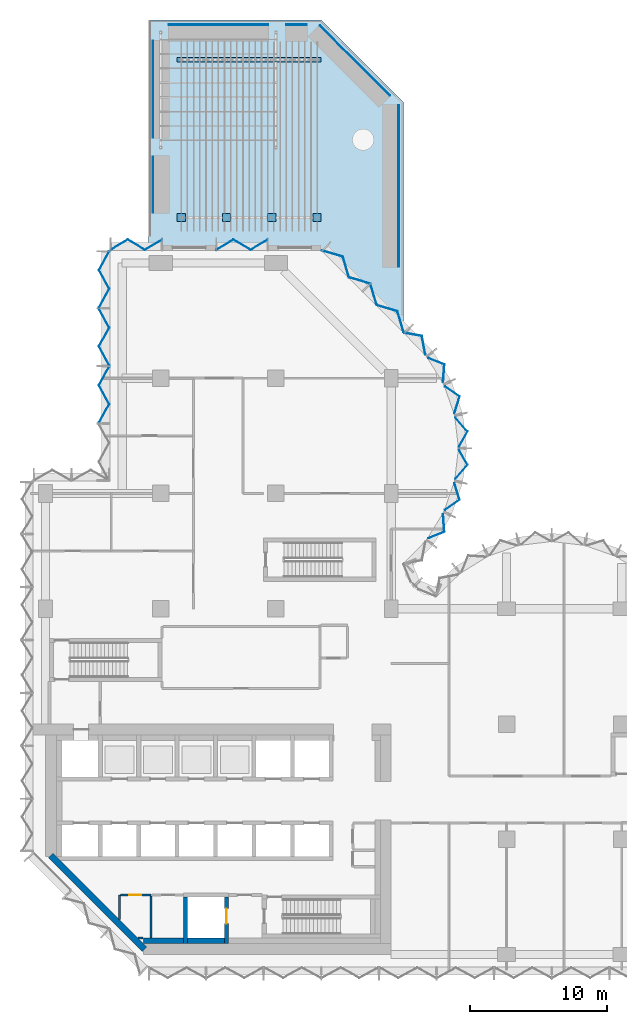
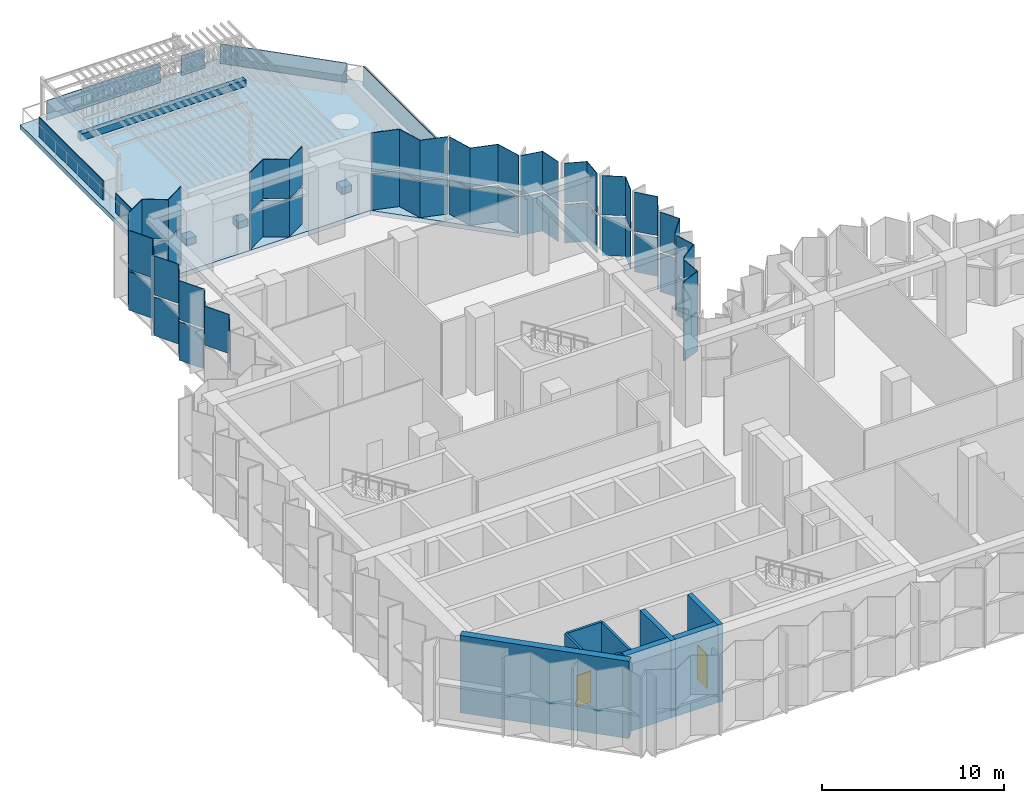
# One storey, part 7 of 15: 33 plates, 9 walls, 6 slabs, 2 doors, 2 openings, 5 elements without a shape of their own.
"""IFC4 building model written with IfcOpenShell, lengths in metres."""

from ifc_helpers import new_model, si_unit, direction, frame, frame_2d, origin, place, context, subcontext, project, spatial, polyline, rectangle, outline, extrude, material, layer, layer_set, type_object, element, fill, aggregate, save


model = new_model("IFC4")

# Units and contexts
model_context = context("Model", 3, precision=1e-05, world=origin(), true_north=direction((0.0, 1.0)))
body_context = subcontext(model_context, "Body", "Model", "MODEL_VIEW")
ifc_project = project(units=[si_unit("LENGTHUNIT", "METRE"), si_unit("AREAUNIT", "SQUARE_METRE"), si_unit("VOLUMEUNIT", "CUBIC_METRE"), si_unit("PLANEANGLEUNIT", "RADIAN"), si_unit("MASSUNIT", "GRAM", prefix="KILO")], contexts=[model_context])

# Site, building, storey
site_placement = place(None, origin())
site = spatial("IfcSite", under=ifc_project, at=site_placement, CompositionType="ELEMENT")
building_placement = place(site_placement, origin())
building = spatial("IfcBuilding", under=site, at=building_placement, Name="Brevane Broadcast Tower", CompositionType="ELEMENT")
storey_placement = place(building_placement, frame((0.0, 0.0, 156.5)))
storey = spatial("IfcBuildingStorey", under=building, at=storey_placement, Name="L39", CompositionType="ELEMENT", Elevation=156.5)

# Curtain wall, plates
ifc_material_1 = material(Name="Aluminium 6063-T6 bronze anodised", Category="aluminium")
curtain_wall_type = type_object("IfcCurtainWallType", Name="CW-4 curtain wall", PredefinedType="NOTDEFINED", material=ifc_material_1)
curtain_wall_1_placement = place(storey_placement, origin())
curtain_wall_1 = element("IfcCurtainWall", 1, at=curtain_wall_1_placement, inside=storey, type_object=curtain_wall_type, Name="CW-4 sky lobby unit L39 north bow", PredefinedType="NOTDEFINED")
ifc_material_2 = material(Name="Laminated glass bronze-tinted", Category="glass")
ifc_layer_1 = layer(ifc_material_2, 0.0400390625)
ifc_layer_set_1 = layer_set([ifc_layer_1], Name="CW glass panel 40")
plate_type_1 = type_object("IfcPlateType", Name="CW glass panel 40", PredefinedType="CURTAIN_PANEL", material=ifc_layer_set_1)
plate_1_placement = place(storey_placement, frame((0.0, 0.0, -0.159912109375)))
plate_1 = element("IfcPlate", 2, at=plate_1_placement, type_object=plate_type_1, Name="CW-4 glass panel", PredefinedType="CURTAIN_PANEL", context=body_context, shape_type="SweptSolid", body=[
    extrude(outline(polyline([(27.8837890625, 30.355712890625), (27.920166015625, 30.327392578125), (29.08935546875, 30.7958984375), (28.998779296875, 32.076416015625), (28.95751953125, 32.09619140625), (29.04736328125, 30.822265625), (27.8837890625, 30.355712890625)])), origin(), (0.0, 0.0, 1.0), 2.58984375),
])
plate_2_placement = place(storey_placement, frame((0.0, 0.0, 2.570068359375)))
plate_2 = element("IfcPlate", 3, at=plate_2_placement, type_object=plate_type_1, Name="CW-4 glass panel", PredefinedType="CURTAIN_PANEL", context=body_context, shape_type="SweptSolid", body=[
    extrude(outline(polyline([(27.8837890625, 30.355712890625), (27.920166015625, 30.327392578125), (29.08935546875, 30.7958984375), (28.998779296875, 32.076416015625), (28.95751953125, 32.09619140625), (29.04736328125, 30.822265625), (27.8837890625, 30.355712890625)])), origin(), (0.0, 0.0, 1.0), 2.6298828125),
])
plate_3_placement = place(storey_placement, frame((0.0, 0.0, -0.159912109375)))
plate_3 = element("IfcPlate", 4, at=plate_3_placement, type_object=plate_type_1, Name="CW-4 glass panel", PredefinedType="CURTAIN_PANEL", context=body_context, shape_type="SweptSolid", body=[
    extrude(outline(polyline([(29.109130859375, 32.4150390625), (29.150634765625, 32.395263671875), (30.20166015625, 33.132080078125), (29.82861328125, 34.335205078125), (29.78369140625, 34.345458984375), (30.15478515625, 33.148193359375), (29.109130859375, 32.4150390625)])), origin(), (0.0, 0.0, 1.0), 2.58984375),
])
plate_4_placement = place(storey_placement, frame((0.0, 0.0, 2.570068359375)))
plate_4 = element("IfcPlate", 5, at=plate_4_placement, type_object=plate_type_1, Name="CW-4 glass panel", PredefinedType="CURTAIN_PANEL", context=body_context, shape_type="SweptSolid", body=[
    extrude(outline(polyline([(29.109130859375, 32.4150390625), (29.150634765625, 32.395263671875), (30.20166015625, 33.132080078125), (29.82861328125, 34.335205078125), (29.78369140625, 34.345458984375), (30.15478515625, 33.148193359375), (29.109130859375, 32.4150390625)])), origin(), (0.0, 0.0, 1.0), 2.6298828125),
])
plate_5_placement = place(storey_placement, frame((0.0, 0.0, -0.159912109375)))
plate_5 = element("IfcPlate", 6, at=plate_5_placement, type_object=plate_type_1, Name="CW-4 glass panel", PredefinedType="CURTAIN_PANEL", context=body_context, shape_type="SweptSolid", body=[
    extrude(outline(polyline([(29.861328125, 34.68994140625), (29.905517578125, 34.6796875), (30.779296875, 35.68310546875), (30.156982421875, 36.777099609375), (30.111083984375, 36.777099609375), (30.73046875, 35.68798828125), (29.861328125, 34.68994140625)])), origin(), (0.0, 0.0, 1.0), 2.58984375),
])
plate_6_placement = place(storey_placement, frame((0.0, 0.0, 2.570068359375)))
plate_6 = element("IfcPlate", 7, at=plate_6_placement, type_object=plate_type_1, Name="CW-4 glass panel", PredefinedType="CURTAIN_PANEL", context=body_context, shape_type="SweptSolid", body=[
    extrude(outline(polyline([(29.861328125, 34.68994140625), (29.905517578125, 34.6796875), (30.779296875, 35.68310546875), (30.156982421875, 36.777099609375), (30.111083984375, 36.777099609375), (30.73046875, 35.68798828125), (29.861328125, 34.68994140625)])), origin(), (0.0, 0.0, 1.0), 2.6298828125),
])
plate_7_placement = place(storey_placement, frame((0.0, 0.0, -0.159912109375)))
plate_7 = element("IfcPlate", 8, at=plate_7_placement, type_object=plate_type_1, Name="CW-4 glass panel", PredefinedType="CURTAIN_PANEL", context=body_context, shape_type="SweptSolid", body=[
    extrude(outline(polyline([(30.111083984375, 37.02294921875), (30.156982421875, 37.02294921875), (30.779296875, 38.116943359375), (29.905517578125, 39.120361328125), (29.861328125, 39.110107421875), (30.73046875, 38.112060546875), (30.111083984375, 37.02294921875)])), origin(), (0.0, 0.0, 1.0), 2.58984375),
])
plate_8_placement = place(storey_placement, frame((0.0, 0.0, 2.570068359375)))
plate_8 = element("IfcPlate", 9, at=plate_8_placement, type_object=plate_type_1, Name="CW-4 glass panel", PredefinedType="CURTAIN_PANEL", context=body_context, shape_type="SweptSolid", body=[
    extrude(outline(polyline([(30.111083984375, 37.02294921875), (30.156982421875, 37.02294921875), (30.779296875, 38.116943359375), (29.905517578125, 39.120361328125), (29.861328125, 39.110107421875), (30.73046875, 38.112060546875), (30.111083984375, 37.02294921875)])), origin(), (0.0, 0.0, 1.0), 2.6298828125),
])
plate_9_placement = place(storey_placement, frame((0.0, 0.0, -0.159912109375)))
plate_9 = element("IfcPlate", 10, at=plate_9_placement, type_object=plate_type_1, Name="CW-4 glass panel", PredefinedType="CURTAIN_PANEL", context=body_context, shape_type="SweptSolid", body=[
    extrude(outline(polyline([(29.78369140625, 39.45458984375), (29.82861328125, 39.46484375), (30.20166015625, 40.66796875), (29.150634765625, 41.40478515625), (29.109130859375, 41.385009765625), (30.15478515625, 40.65185546875), (29.78369140625, 39.45458984375)])), origin(), (0.0, 0.0, 1.0), 2.58984375),
])
plate_10_placement = place(storey_placement, frame((0.0, 0.0, 2.570068359375)))
plate_10 = element("IfcPlate", 11, at=plate_10_placement, type_object=plate_type_1, Name="CW-4 glass panel", PredefinedType="CURTAIN_PANEL", context=body_context, shape_type="SweptSolid", body=[
    extrude(outline(polyline([(29.78369140625, 39.45458984375), (29.82861328125, 39.46484375), (30.20166015625, 40.66796875), (29.150634765625, 41.40478515625), (29.109130859375, 41.385009765625), (30.15478515625, 40.65185546875), (29.78369140625, 39.45458984375)])), origin(), (0.0, 0.0, 1.0), 2.6298828125),
])
plate_11_placement = place(storey_placement, frame((0.0, 0.0, -0.159912109375)))
plate_11 = element("IfcPlate", 12, at=plate_11_placement, type_object=plate_type_1, Name="CW-4 glass panel", PredefinedType="CURTAIN_PANEL", context=body_context, shape_type="SweptSolid", body=[
    extrude(outline(polyline([(28.95751953125, 41.703857421875), (28.998779296875, 41.7236328125), (29.08935546875, 43.00390625), (27.920166015625, 43.47265625), (27.8837890625, 43.444091796875), (29.04736328125, 42.977783203125), (28.95751953125, 41.703857421875)])), origin(), (0.0, 0.0, 1.0), 2.58984375),
])
plate_12_placement = place(storey_placement, frame((0.0, 0.0, 2.570068359375)))
plate_12 = element("IfcPlate", 13, at=plate_12_placement, type_object=plate_type_1, Name="CW-4 glass panel", PredefinedType="CURTAIN_PANEL", context=body_context, shape_type="SweptSolid", body=[
    extrude(outline(polyline([(28.95751953125, 41.703857421875), (28.998779296875, 41.7236328125), (29.08935546875, 43.00390625), (27.920166015625, 43.47265625), (27.8837890625, 43.444091796875), (29.04736328125, 42.977783203125), (28.95751953125, 41.703857421875)])), origin(), (0.0, 0.0, 1.0), 2.6298828125),
])
plate_13_placement = place(storey_placement, frame((0.0, 0.0, -0.159912109375)))
plate_13 = element("IfcPlate", 14, at=plate_13_placement, type_object=plate_type_1, Name="CW-4 glass panel", PredefinedType="CURTAIN_PANEL", context=body_context, shape_type="SweptSolid", body=[
    extrude(outline(polyline([(27.66552734375, 43.7216796875), (27.701171875, 43.74951171875), (27.447265625, 45.086181640625), (26.189697265625, 45.3173828125), (26.154296875, 45.283203125), (27.4130859375, 45.052001953125), (27.66552734375, 43.7216796875)])), origin(), (0.0, 0.0, 1.0), 2.58984375),
])
plate_14_placement = place(storey_placement, frame((0.0, 0.0, 2.570068359375)))
plate_14 = element("IfcPlate", 15, at=plate_14_placement, type_object=plate_type_1, Name="CW-4 glass panel", PredefinedType="CURTAIN_PANEL", context=body_context, shape_type="SweptSolid", body=[
    extrude(outline(polyline([(27.66552734375, 43.7216796875), (27.701171875, 43.74951171875), (27.447265625, 45.086181640625), (26.189697265625, 45.3173828125), (26.154296875, 45.283203125), (27.4130859375, 45.052001953125), (27.66552734375, 43.7216796875)])), origin(), (0.0, 0.0, 1.0), 2.6298828125),
])
aggregate(curtain_wall_1, [plate_1, plate_2, plate_3, plate_4, plate_5, plate_6, plate_7, plate_8, plate_9, plate_10, plate_11, plate_12, plate_13, plate_14])

curtain_wall_2_placement = place(storey_placement, origin())
curtain_wall_2 = element("IfcCurtainWall", 16, at=curtain_wall_2_placement, inside=storey, type_object=curtain_wall_type, Name="CW-4 sky lobby unit L39 north arm north-east chamfer", PredefinedType="NOTDEFINED")
plate_15_placement = place(storey_placement, frame((0.0, 0.0, -0.159912109375)))
plate_15 = element("IfcPlate", 17, at=plate_15_placement, type_object=plate_type_1, Name="CW-4 glass panel", PredefinedType="CURTAIN_PANEL", context=body_context, shape_type="SweptSolid", body=[
    extrude(outline(polyline([(26.083984375, 45.3544921875), (26.1162109375, 45.38671875), (25.666015625, 46.8896484375), (24.1630859375, 47.339599609375), (23.713134765625, 48.84228515625), (23.680908203125, 48.810302734375), (24.131103515625, 47.3076171875), (25.6337890625, 46.857421875), (26.083984375, 45.3544921875)])), origin(), (0.0, 0.0, 1.0), 2.58984375),
])
plate_16_placement = place(storey_placement, frame((0.0, 0.0, 2.570068359375)))
plate_16 = element("IfcPlate", 18, at=plate_16_placement, type_object=plate_type_1, Name="CW-4 glass panel", PredefinedType="CURTAIN_PANEL", context=body_context, shape_type="SweptSolid", body=[
    extrude(outline(polyline([(26.083984375, 45.3544921875), (26.1162109375, 45.38671875), (25.666015625, 46.8896484375), (24.1630859375, 47.339599609375), (23.713134765625, 48.84228515625), (23.680908203125, 48.810302734375), (24.131103515625, 47.3076171875), (25.6337890625, 46.857421875), (26.083984375, 45.3544921875)])), origin(), (0.0, 0.0, 1.0), 2.6298828125),
])
plate_17_placement = place(storey_placement, frame((0.0, 0.0, -0.159912109375)))
plate_17 = element("IfcPlate", 19, at=plate_17_placement, type_object=plate_type_1, Name="CW-4 glass panel", PredefinedType="CURTAIN_PANEL", context=body_context, shape_type="SweptSolid", body=[
    extrude(outline(polyline([(23.6103515625, 48.881103515625), (23.642333984375, 48.9130859375), (22.1396484375, 49.36328125), (21.689697265625, 50.865966796875), (20.186767578125, 51.316162109375), (20.154541015625, 51.283935546875), (21.657470703125, 50.833984375), (22.107421875, 49.3310546875), (23.6103515625, 48.881103515625)])), origin(), (0.0, 0.0, 1.0), 2.58984375),
])
plate_18_placement = place(storey_placement, frame((0.0, 0.0, 2.570068359375)))
plate_18 = element("IfcPlate", 20, at=plate_18_placement, type_object=plate_type_1, Name="CW-4 glass panel", PredefinedType="CURTAIN_PANEL", context=body_context, shape_type="SweptSolid", body=[
    extrude(outline(polyline([(23.6103515625, 48.881103515625), (23.642333984375, 48.9130859375), (22.1396484375, 49.36328125), (21.689697265625, 50.865966796875), (20.186767578125, 51.316162109375), (20.154541015625, 51.283935546875), (21.657470703125, 50.833984375), (22.107421875, 49.3310546875), (23.6103515625, 48.881103515625)])), origin(), (0.0, 0.0, 1.0), 2.6298828125),
])
aggregate(curtain_wall_2, [plate_15, plate_16, plate_17, plate_18])

curtain_wall_3_placement = place(storey_placement, origin())
curtain_wall_3 = element("IfcCurtainWall", 21, at=curtain_wall_3_placement, inside=storey, type_object=curtain_wall_type, Name="CW-4 sky lobby unit L39 north end", PredefinedType="NOTDEFINED")
plate_19_placement = place(storey_placement, frame((0.0, 0.0, -0.159912109375)))
plate_19 = element("IfcPlate", 22, at=plate_19_placement, type_object=plate_type_1, Name="CW-4 glass panel", PredefinedType="CURTAIN_PANEL", context=body_context, shape_type="SweptSolid", body=[
    extrude(outline(polyline([(16.199951171875, 52.071044921875), (16.199951171875, 52.11767578125), (14.949951171875, 51.373291015625), (13.699951171875, 52.11767578125), (12.449951171875, 51.373291015625), (12.449951171875, 51.32666015625), (13.699951171875, 52.071044921875), (14.949951171875, 51.32666015625), (16.199951171875, 52.071044921875)])), origin(), (0.0, 0.0, 1.0), 2.58984375),
])
plate_20_placement = place(storey_placement, frame((0.0, 0.0, 2.570068359375)))
plate_20 = element("IfcPlate", 23, at=plate_20_placement, type_object=plate_type_1, Name="CW-4 glass panel", PredefinedType="CURTAIN_PANEL", context=body_context, shape_type="SweptSolid", body=[
    extrude(outline(polyline([(16.199951171875, 52.071044921875), (16.199951171875, 52.11767578125), (14.949951171875, 51.373291015625), (13.699951171875, 52.11767578125), (12.449951171875, 51.373291015625), (12.449951171875, 51.32666015625), (13.699951171875, 52.071044921875), (14.949951171875, 51.32666015625), (16.199951171875, 52.071044921875)])), origin(), (0.0, 0.0, 1.0), 2.6298828125),
])
aggregate(curtain_wall_3, [plate_19, plate_20])

curtain_wall_4_placement = place(storey_placement, origin())
curtain_wall_4 = element("IfcCurtainWall", 24, at=curtain_wall_4_placement, inside=storey, type_object=curtain_wall_type, Name="CW-4 sky lobby unit L39 north end", PredefinedType="NOTDEFINED")
plate_21_placement = place(storey_placement, frame((0.0, 0.0, -0.159912109375)))
plate_21 = element("IfcPlate", 25, at=plate_21_placement, type_object=plate_type_1, Name="CW-4 glass panel", PredefinedType="CURTAIN_PANEL", context=body_context, shape_type="SweptSolid", body=[
    extrude(outline(polyline([(8.5, 52.071044921875), (8.5, 52.11767578125), (7.25, 51.373291015625), (6.0, 52.11767578125), (4.75, 51.373291015625), (4.75, 51.32666015625), (6.0, 52.071044921875), (7.25, 51.32666015625), (8.5, 52.071044921875)])), origin(), (0.0, 0.0, 1.0), 2.58984375),
])
plate_22_placement = place(storey_placement, frame((0.0, 0.0, 2.570068359375)))
plate_22 = element("IfcPlate", 26, at=plate_22_placement, type_object=plate_type_1, Name="CW-4 glass panel", PredefinedType="CURTAIN_PANEL", context=body_context, shape_type="SweptSolid", body=[
    extrude(outline(polyline([(8.5, 52.071044921875), (8.5, 52.11767578125), (7.25, 51.373291015625), (6.0, 52.11767578125), (4.75, 51.373291015625), (4.75, 51.32666015625), (6.0, 52.071044921875), (7.25, 51.32666015625), (8.5, 52.071044921875)])), origin(), (0.0, 0.0, 1.0), 2.6298828125),
])
aggregate(curtain_wall_4, [plate_21, plate_22])

curtain_wall_5_placement = place(storey_placement, origin())
curtain_wall_5 = element("IfcCurtainWall", 27, at=curtain_wall_5_placement, inside=storey, type_object=curtain_wall_type, Name="CW-4 sky lobby unit L39 north wing west face, lower block", PredefinedType="NOTDEFINED")
plate_23_placement = place(storey_placement, frame((0.0, 0.0, -0.159912109375)))
plate_23 = element("IfcPlate", 28, at=plate_23_placement, type_object=plate_type_1, Name="CW-4 glass panel", PredefinedType="CURTAIN_PANEL", context=body_context, shape_type="SweptSolid", body=[
    extrude(outline(polyline([(4.6728515625, 51.25), (4.627197265625, 51.25), (3.8828125, 49.88330078125), (4.627197265625, 48.5166015625), (3.8828125, 47.14990234375), (3.928466796875, 47.14990234375), (4.6728515625, 48.5166015625), (3.928466796875, 49.88330078125), (4.6728515625, 51.25)])), origin(), (0.0, 0.0, 1.0), 2.58984375),
])
plate_24_placement = place(storey_placement, frame((0.0, 0.0, 2.570068359375)))
plate_24 = element("IfcPlate", 29, at=plate_24_placement, type_object=plate_type_1, Name="CW-4 glass panel", PredefinedType="CURTAIN_PANEL", context=body_context, shape_type="SweptSolid", body=[
    extrude(outline(polyline([(4.6728515625, 51.25), (4.627197265625, 51.25), (3.8828125, 49.88330078125), (4.627197265625, 48.5166015625), (3.8828125, 47.14990234375), (3.928466796875, 47.14990234375), (4.6728515625, 48.5166015625), (3.928466796875, 49.88330078125), (4.6728515625, 51.25)])), origin(), (0.0, 0.0, 1.0), 2.6298828125),
])
plate_25_placement = place(storey_placement, frame((0.0, 0.0, -0.159912109375)))
plate_25 = element("IfcPlate", 30, at=plate_25_placement, type_object=plate_type_1, Name="CW-4 glass panel", PredefinedType="CURTAIN_PANEL", context=body_context, shape_type="SweptSolid", body=[
    extrude(outline(polyline([(3.928466796875, 47.050048828125), (3.8828125, 47.050048828125), (4.627197265625, 45.683349609375), (3.8828125, 44.316650390625), (4.627197265625, 42.949951171875), (4.6728515625, 42.949951171875), (3.928466796875, 44.316650390625), (4.6728515625, 45.683349609375), (3.928466796875, 47.050048828125)])), origin(), (0.0, 0.0, 1.0), 2.58984375),
])
plate_26_placement = place(storey_placement, frame((0.0, 0.0, 2.570068359375)))
plate_26 = element("IfcPlate", 31, at=plate_26_placement, type_object=plate_type_1, Name="CW-4 glass panel", PredefinedType="CURTAIN_PANEL", context=body_context, shape_type="SweptSolid", body=[
    extrude(outline(polyline([(3.928466796875, 47.050048828125), (3.8828125, 47.050048828125), (4.627197265625, 45.683349609375), (3.8828125, 44.316650390625), (4.627197265625, 42.949951171875), (4.6728515625, 42.949951171875), (3.928466796875, 44.316650390625), (4.6728515625, 45.683349609375), (3.928466796875, 47.050048828125)])), origin(), (0.0, 0.0, 1.0), 2.6298828125),
])
plate_27_placement = place(storey_placement, frame((0.0, 0.0, 2.570068359375)))
plate_27 = element("IfcPlate", 32, at=plate_27_placement, type_object=plate_type_1, Name="CW-4 glass panel", PredefinedType="CURTAIN_PANEL", context=body_context, shape_type="SweptSolid", body=[
    extrude(outline(polyline([(4.6728515625, 42.85009765625), (4.627197265625, 42.85009765625), (3.8828125, 41.4833984375), (4.627197265625, 40.11669921875), (3.8828125, 38.75), (3.928466796875, 38.75), (4.6728515625, 40.11669921875), (3.928466796875, 41.4833984375), (4.6728515625, 42.85009765625)])), origin(), (0.0, 0.0, 1.0), 2.6298828125),
])
aggregate(curtain_wall_5, [plate_23, plate_24, plate_25, plate_26, plate_27])

# Plates
ifc_material_3 = material(Name="Aluminium bronze anodised", Category="aluminium")
ifc_layer_2 = layer(ifc_material_3, 0.050048828125)
ifc_layer_set_2 = layer_set([ifc_layer_2], Name="Planter fascia plate 1300")
plate_type_2 = type_object("IfcPlateType", Name="Planter fascia plate 1300", PredefinedType="SHEET", material=ifc_layer_set_2)
plate_28_placement = place(storey_placement, frame((25.77490234375, 50.12939453125, 0.0), z_axis=(1.0, 0.0, 0.0), x_axis=(0.0, 1.0, 0.0)))
element("IfcPlate", 33, at=plate_28_placement, inside=storey, type_object=plate_type_2, Name="Bed fascia L39-1", PredefinedType="SHEET", context=body_context, shape_type="SweptSolid", body=[
    extrude(outline(polyline([(0.0, 0.0), (11.765625, 0.0), (11.765625, 1.300048828125), (0.0, 1.300048828125), (0.0, 0.0)])), origin(), (0.0, 0.0, -1.0), 0.050048828125),
])
plate_29_placement = place(storey_placement, frame((25.125244140625, 62.615234375, 0.0), z_axis=(0.707106781187, 0.707106781187, 0.0), x_axis=(-0.707106781187, 0.707106781187, 0.0)))
element("IfcPlate", 34, at=plate_29_placement, inside=storey, type_object=plate_type_2, Name="Bed fascia L39-2", PredefinedType="SHEET", context=body_context, shape_type="SweptSolid", body=[
    extrude(outline(polyline([(0.0, 0.0), (7.226783221199037, 0.0), (7.226783221199037, 1.3000488281250002), (0.0, 1.3000488281250002), (0.0, 0.0)])), origin(), (0.0, 0.0, -1.0), 0.050048828125),
])
plate_30_placement = place(storey_placement, frame((19.04638671875, 67.77490234375, 0.0), z_axis=(0.0, 1.0, 0.0), x_axis=(-1.0, 0.0, 0.0)))
element("IfcPlate", 35, at=plate_30_placement, inside=storey, type_object=plate_type_2, Name="Bed fascia L39-3", PredefinedType="SHEET", context=body_context, shape_type="SweptSolid", body=[
    extrude(outline(polyline([(0.0, 0.0), (1.482177734375, 0.0), (1.482177734375, 1.300048828125), (0.0, 1.300048828125), (0.0, 0.0)])), origin(), (0.0, 0.0, -1.0), 0.050048828125),
])
plate_31_placement = place(storey_placement, frame((16.220703125, 67.77490234375, 0.0), z_axis=(0.0, 1.0, 0.0), x_axis=(-1.0, 0.0, 0.0)))
element("IfcPlate", 36, at=plate_31_placement, inside=storey, type_object=plate_type_2, Name="Bed fascia L39-4", PredefinedType="SHEET", context=body_context, shape_type="SweptSolid", body=[
    extrude(outline(polyline([(0.0, 0.0), (7.22119140625, 0.0), (7.22119140625, 1.300048828125), (0.0, 1.300048828125), (0.0, 0.0)])), origin(), (0.0, 0.0, -1.0), 0.050048828125),
])
plate_32_placement = place(storey_placement, frame((7.824951171875, 66.59326171875, 0.0), z_axis=(-1.0, 0.0, 0.0), x_axis=(0.0, -1.0, 0.0)))
element("IfcPlate", 37, at=plate_32_placement, inside=storey, type_object=plate_type_2, Name="Bed fascia L39-5", PredefinedType="SHEET", context=body_context, shape_type="SweptSolid", body=[
    extrude(outline(polyline([(0.0, 0.0), (7.08154296875, 0.0), (7.08154296875, 1.300048828125), (0.0, 1.300048828125), (0.0, 0.0)])), origin(), (0.0, 0.0, -1.0), 0.050048828125),
])
plate_33_placement = place(storey_placement, frame((7.824951171875, 58.14990234375, 0.0), z_axis=(-1.0, 0.0, 0.0), x_axis=(0.0, -1.0, 0.0)))
element("IfcPlate", 38, at=plate_33_placement, inside=storey, type_object=plate_type_2, Name="Bed fascia L39-6", PredefinedType="SHEET", context=body_context, shape_type="SweptSolid", body=[
    extrude(outline(polyline([(0.0, 0.0), (4.1015625, 0.0), (4.1015625, 1.300048828125), (0.0, 1.300048828125), (0.0, 0.0)])), origin(), (0.0, 0.0, -1.0), 0.050048828125),
])

# Slabs
ifc_material_4 = material(Name="Concrete C40/50", Category="concrete")
ifc_layer_3 = layer(ifc_material_4, 0.300048828125)
ifc_layer_set_3 = layer_set([ifc_layer_3], Name="RC ROOF SLAB 300 C40/50")
slab_type_1 = type_object("IfcSlabType", Name="RC ROOF SLAB 300 C40/50", PredefinedType="ROOF", material=ifc_layer_set_3)
slab_1_placement = place(storey_placement, frame((0.0, 0.0, -0.300048828125)))
element("IfcSlab", 39, at=slab_1_placement, inside=storey, type_object=slab_type_1, Name="SR300 L39", PredefinedType="ROOF", context=body_context, shape_type="SweptSolid", body=[
    extrude(outline(polyline([(20.10009765625, 68.10009765625), (26.10009765625, 62.10009765625), (26.10009765625, 45.300048828125), (20.10009765625, 51.300048828125), (7.5, 51.300048828125), (7.5, 68.10009765625), (20.10009765625, 68.10009765625)])), origin(), (0.0, 0.0, 1.0), 0.300048828125),
])
ifc_material_5 = material(Name="Concrete C30/37", Category="concrete")
ifc_layer_4 = layer(ifc_material_5, 0.449951171875)
ifc_layer_set_4 = layer_set([ifc_layer_4], Name="Sky garden trellis plinth 450")
slab_type_2 = type_object("IfcSlabType", Name="Sky garden trellis plinth 450", PredefinedType="USERDEFINED", material=ifc_layer_set_4)
slab_2_placement = place(storey_placement, origin())
element("IfcSlab", 40, at=slab_2_placement, inside=storey, type_object=slab_type_2, Name="Sky garden trellis post plinth L39-1", ObjectType="PLINTH", PredefinedType="USERDEFINED", context=body_context, shape_type="SweptSolid", body=[
    extrude(outline(polyline([(9.60009765625, 53.39990234375), (10.199951171875, 53.39990234375), (10.199951171875, 54.0), (9.60009765625, 54.0), (9.60009765625, 53.39990234375)])), origin(), (0.0, 0.0, 1.0), 0.449951171875),
])
slab_3_placement = place(storey_placement, origin())
element("IfcSlab", 41, at=slab_3_placement, inside=storey, type_object=slab_type_2, Name="Sky garden trellis post plinth L39-2", ObjectType="PLINTH", PredefinedType="USERDEFINED", context=body_context, shape_type="SweptSolid", body=[
    extrude(outline(polyline([(12.89990234375, 53.39990234375), (13.5, 53.39990234375), (13.5, 54.0), (12.89990234375, 54.0), (12.89990234375, 53.39990234375)])), origin(), (0.0, 0.0, 1.0), 0.449951171875),
])
slab_4_placement = place(storey_placement, origin())
element("IfcSlab", 42, at=slab_4_placement, inside=storey, type_object=slab_type_2, Name="Sky garden trellis post plinth L39-3", ObjectType="PLINTH", PredefinedType="USERDEFINED", context=body_context, shape_type="SweptSolid", body=[
    extrude(outline(polyline([(16.199951171875, 53.39990234375), (16.800048828125, 53.39990234375), (16.800048828125, 54.0), (16.199951171875, 54.0), (16.199951171875, 53.39990234375)])), origin(), (0.0, 0.0, 1.0), 0.449951171875),
])
slab_5_placement = place(storey_placement, origin())
element("IfcSlab", 43, at=slab_5_placement, inside=storey, type_object=slab_type_2, Name="Sky garden trellis post plinth L39-4", ObjectType="PLINTH", PredefinedType="USERDEFINED", context=body_context, shape_type="SweptSolid", body=[
    extrude(outline(polyline([(19.5, 53.39990234375), (20.10009765625, 53.39990234375), (20.10009765625, 54.0), (19.5, 54.0), (19.5, 53.39990234375)])), origin(), (0.0, 0.0, 1.0), 0.449951171875),
])
slab_6_placement = place(storey_placement, origin())
element("IfcSlab", 44, at=slab_6_placement, inside=storey, type_object=slab_type_2, Name="Sky garden trellis slat kerb L39-1", ObjectType="PLINTH", PredefinedType="USERDEFINED", context=body_context, shape_type="SweptSolid", body=[
    extrude(outline(polyline([(9.60009765625, 65.050048828125), (20.10009765625, 65.050048828125), (20.10009765625, 65.35009765625), (9.60009765625, 65.35009765625), (9.60009765625, 65.050048828125)])), origin(), (0.0, 0.0, 1.0), 0.449951171875),
])

# Walls
ifc_material_6 = material(Name="Concrete C32/40", Category="concrete")
ifc_layer_5 = layer(ifc_material_6, 0.39990234375)
ifc_layer_set_5 = layer_set([ifc_layer_5], Name="Core chase wall 400 mm")
wall_type_1 = type_object("IfcWallType", Name="Core chase wall 400 mm", PredefinedType="PARTITIONING", material=ifc_layer_set_5)
wall_1_placement = place(storey_placement, frame((7.136474609375, 1.0, 0.0), z_axis=(0.0, 0.0, 1.0), x_axis=(1.0, 0.0, 0.0)))
element("IfcWall", 45, at=wall_1_placement, inside=storey, type_object=wall_type_1, Name="L39 chase wall LS-1", PredefinedType="PARTITIONING", context=body_context, shape_type="SweptSolid", body=[
    extrude(rectangle(XDim=2.91357421875, YDim=0.39990234375, at=frame_2d((1.456787109375, 0.0))), origin(), (0.0, 0.0, 1.0), 5.199951171875),
])
wall_2_placement = place(storey_placement, frame((10.35009765625, 1.0, 0.0), z_axis=(0.0, 0.0, 1.0), x_axis=(1.0, 0.0, 0.0)))
element("IfcWall", 46, at=wall_2_placement, inside=storey, type_object=wall_type_1, Name="L39 chase wall LS-2-1", PredefinedType="PARTITIONING", context=body_context, shape_type="SweptSolid", body=[
    extrude(rectangle(XDim=2.699951171875, YDim=0.39990234375, at=frame_2d((1.35009765625, 0.0))), origin(), (0.0, 0.0, 1.0), 5.199951171875),
])
ifc_material_7 = material(Name="Gypsum board on steel studs", Category="steel")
ifc_layer_6 = layer(ifc_material_7, 0.14990234375)
ifc_layer_set_6 = layer_set([ifc_layer_6], Name="Core fire partition 150 mm")
wall_type_2 = type_object("IfcWallType", Name="Core fire partition 150 mm", PredefinedType="PARTITIONING", material=ifc_layer_set_6)
wall_3_placement = place(storey_placement, frame((5.39990234375, 2.553466796875, 0.0), z_axis=(0.0, 0.0, 1.0), x_axis=(0.0, 1.0, 0.0)))
element("IfcWall", 47, at=wall_3_placement, inside=storey, type_object=wall_type_2, Name="L39 partition wall P07", PredefinedType="PARTITIONING", context=body_context, shape_type="SweptSolid", body=[
    extrude(rectangle(XDim=1.796630859375, YDim=0.14990234375, at=frame_2d((0.8984375, 0.0))), origin(), (0.0, 0.0, 1.0), 5.199951171875),
])

# Wall, opening, door
wall_4_placement = place(storey_placement, frame((5.47509765625, 4.35009765625, 0.0), z_axis=(0.0, 0.0, 1.0), x_axis=(1.0, 0.0, 0.0)))
wall_4 = element("IfcWall", 48, at=wall_4_placement, inside=storey, type_object=wall_type_2, Name="L39 partition wall P08", PredefinedType="PARTITIONING", context=body_context, shape_type="SweptSolid", body=[
    extrude(rectangle(XDim=2.224853515625, YDim=0.14990234375, at=frame_2d((1.1123046875, 0.0))), origin(), (0.0, 0.0, 1.0), 5.199951171875),
])
opening_1_placement = place(wall_4_placement, frame((0.625, 0.0, 0.0)))
opening_1 = element("IfcOpeningElement", 49, at=opening_1_placement, cuts=wall_4, Name="Opening L39-K22", PredefinedType="OPENING", context=body_context, shape_type="SweptSolid", body=[
    extrude(rectangle(XDim=0.89990234375, YDim=2.10009765625, at=frame_2d((0.449951171875, 1.050048828125))), frame((0.0, 0.0849609375, 0.0), z_axis=(0.0, -1.0, 0.0), x_axis=(1.0, 0.0, 0.0)), (0.0, 0.0, 1.0), 0.169921875),
])
ifc_material_8 = material(Name="Timber", Category="wood")
door_type_1 = type_object("IfcDoorType", Name="Toilet door 900 x 2100", OperationType="SINGLE_SWING_LEFT", PredefinedType="DOOR", material=ifc_material_8)
door_1_placement = place(opening_1_placement, origin())
door_1 = element("IfcDoor", 50, at=door_1_placement, inside=storey, type_object=door_type_1, Name="Door L39-K22", OperationType="SINGLE_SWING_RIGHT", OverallHeight=2.10009765625, OverallWidth=0.89990234375, PredefinedType="DOOR", context=body_context, shape_type="SweptSolid", body=[
    extrude(rectangle(XDim=0.89990234375, YDim=2.10009765625, at=frame_2d((0.449951171875, 1.050048828125))), frame((0.0, 0.02490234375, 0.0), z_axis=(0.0, -1.0, 0.0), x_axis=(1.0, 0.0, 0.0)), (0.0, 0.0, 1.0), 0.050048828125),
])
fill(opening_1, door_1)

# Walls
wall_5_placement = place(storey_placement, frame((7.699951171875, 4.27490234375, 0.0), z_axis=(0.0, 0.0, 1.0), x_axis=(0.0, -1.0, 0.0)))
element("IfcWall", 51, at=wall_5_placement, inside=storey, type_object=wall_type_2, Name="L39 partition wall P09", PredefinedType="PARTITIONING", context=body_context, shape_type="SweptSolid", body=[
    extrude(rectangle(XDim=3.06298828125, YDim=0.14990234375, at=frame_2d((1.531494140625, 0.0))), origin(), (0.0, 0.0, 1.0), 5.199951171875),
])
wall_6_placement = place(storey_placement, frame((7.12451171875, 1.199951171875, 0.0), z_axis=(0.0, 0.0, 1.0), x_axis=(-1.0, 0.0, 0.0)))
element("IfcWall", 52, at=wall_6_placement, inside=storey, type_object=wall_type_2, Name="L39 partition wall P10", PredefinedType="PARTITIONING", context=body_context, shape_type="SweptSolid", body=[
    extrude(rectangle(XDim=0.37109375, YDim=0.14990234375, at=frame_2d((0.185546875, 0.0))), origin(), (0.0, 0.0, 1.0), 5.199951171875),
])
ifc_material_9 = material(Name="Concrete C60/75", Category="concrete")
ifc_layer_7 = layer(ifc_material_9, 0.300048828125)
ifc_layer_set_7 = layer_set([ifc_layer_7], Name="Core wall 300 mm C60/75")
wall_type_3 = type_object("IfcWallType", Name="Core wall 300 mm C60/75", PredefinedType="SHEAR", material=ifc_layer_set_7)
wall_7_placement = place(storey_placement, frame((10.199951171875, 0.800048828125, 0.0), z_axis=(0.0, 0.0, 1.0), x_axis=(0.0, 1.0, 0.0)))
element("IfcWall", 53, at=wall_7_placement, inside=storey, type_object=wall_type_3, Name="L39 shaft wall FF2-W", PredefinedType="SHEAR", context=body_context, shape_type="SweptSolid", body=[
    extrude(rectangle(XDim=3.39990234375, YDim=0.300048828125, at=frame_2d((1.699951171875, 0.0))), origin(), (0.0, 0.0, 1.0), 5.199951171875),
])

# Wall, opening, door
wall_8_placement = place(storey_placement, frame((13.199951171875, 0.800048828125, 0.0), z_axis=(0.0, 0.0, 1.0), x_axis=(0.0, 1.0, 0.0)))
wall_8 = element("IfcWall", 54, at=wall_8_placement, inside=storey, type_object=wall_type_3, Name="L39 shaft wall FF2-E", PredefinedType="SHEAR", context=body_context, shape_type="SweptSolid", body=[
    extrude(rectangle(XDim=3.39990234375, YDim=0.300048828125, at=frame_2d((1.699951171875, 0.0))), origin(), (0.0, 0.0, 1.0), 5.199951171875),
])
opening_2_placement = place(wall_8_placement, frame((1.449951171875, 0.0, 0.0)))
opening_2 = element("IfcOpeningElement", 55, at=opening_2_placement, cuts=wall_8, Name="Opening LD", PredefinedType="OPENING", context=body_context, shape_type="SweptSolid", body=[
    extrude(rectangle(XDim=1.10009765625, YDim=2.300048828125, at=frame_2d((0.550048828125, 1.14990234375))), frame((0.0, 0.159912109375, 0.0), z_axis=(0.0, -1.0, 0.0), x_axis=(1.0, 0.0, 0.0)), (0.0, 0.0, 1.0), 0.320068359375),
])
ifc_material_10 = material(Name="Stainless steel", Category="steel")
door_type_2 = type_object("IfcDoorType", Name="Lift landing door", OperationType="SLIDING_TO_LEFT", PredefinedType="DOOR", material=ifc_material_10)
door_2_placement = place(opening_2_placement, origin())
door_2 = element("IfcDoor", 56, at=door_2_placement, inside=storey, type_object=door_type_2, Name="Landing door FF2 L39", OperationType="SLIDING_TO_LEFT", OverallHeight=2.300048828125, OverallWidth=1.10009765625, PredefinedType="DOOR", context=body_context, shape_type="SweptSolid", body=[
    extrude(rectangle(XDim=1.10009765625, YDim=2.300048828125, at=frame_2d((0.550048828125, 1.14990234375))), frame((0.0, 0.02490234375, 0.0), z_axis=(0.0, -1.0, 0.0), x_axis=(1.0, 0.0, 0.0)), (0.0, 0.0, 1.0), 0.050048828125),
])
fill(opening_2, door_2)

# Wall
ifc_layer_8 = layer(ifc_material_9, 0.449951171875)
ifc_layer_set_8 = layer_set([ifc_layer_8], Name="Core wall 450 mm C60/75")
wall_type_4 = type_object("IfcWallType", Name="Core wall 450 mm C60/75", PredefinedType="SHEAR", material=ifc_layer_set_8)
wall_9_placement = place(storey_placement, frame((0.39990234375, 7.21826171875, 0.0), z_axis=(0.0, 0.0, 1.0), x_axis=(0.707106781187, -0.707106781187, 0.0)))
element("IfcWall", 57, at=wall_9_placement, inside=storey, type_object=wall_type_4, Name="L39 outer wall WC", PredefinedType="SHEAR", context=body_context, shape_type="SweptSolid", body=[
    extrude(rectangle(XDim=9.642578125, YDim=0.449951171875, at=frame_2d((4.8212890625, 0.0))), origin(), (0.0, 0.0, 1.0), 5.199951171875),
])

save(model, "model.ifc")
